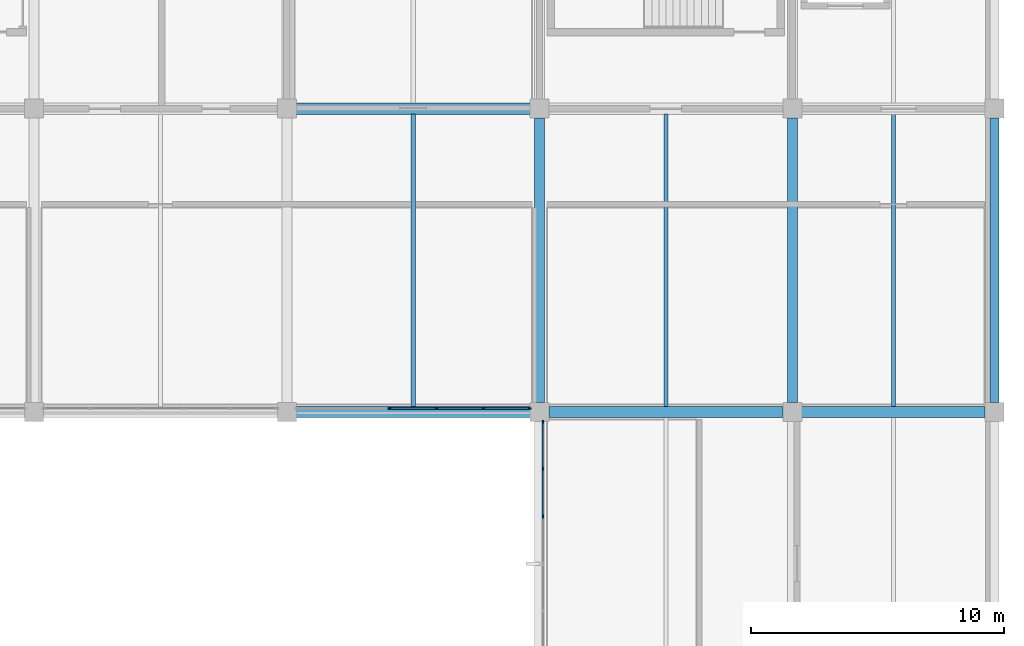
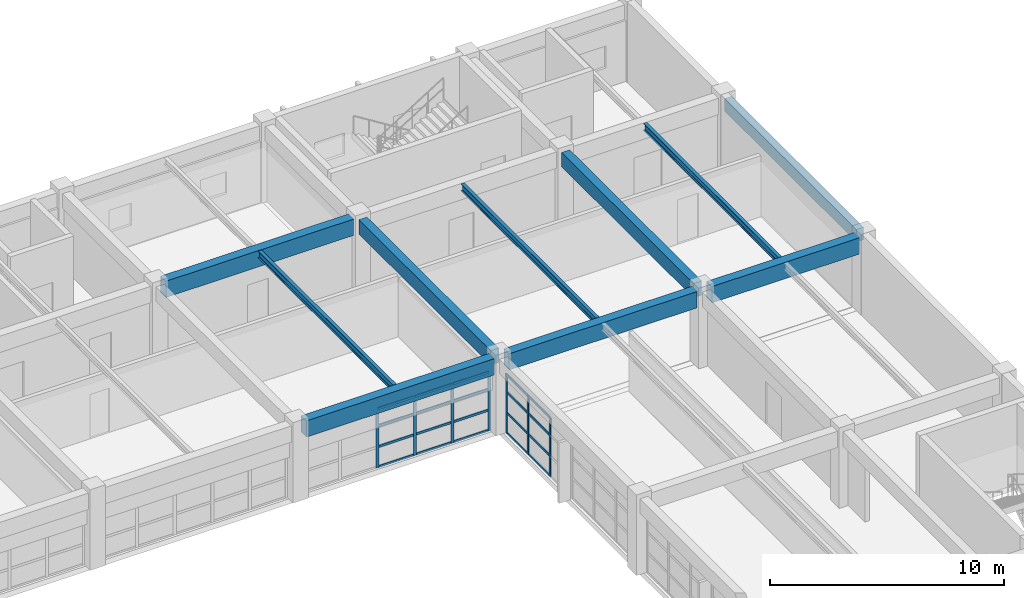
# One storey, part 41 of 83: 27 members, 10 beams, 2 elements without a shape of their own.
"""IFC4 building model written with IfcOpenShell, lengths in metres."""

from ifc_helpers import new_model, si_unit, direction, frame, origin, origin_2d, place, context, subcontext, project, spatial, rectangle, i_section, extrude, material, layer, layer_set, material_profile, profile_set, type_object, element, aggregate, save


model = new_model("IFC4")

# Units and contexts
model_context = context("Model", 3, precision=1e-05, world=origin(), true_north=direction((0.0, 1.0)))
body_context = subcontext(model_context, "Body", "Model", "MODEL_VIEW")
ifc_project = project(units=[si_unit("LENGTHUNIT", "METRE"), si_unit("AREAUNIT", "SQUARE_METRE"), si_unit("VOLUMEUNIT", "CUBIC_METRE"), si_unit("PLANEANGLEUNIT", "RADIAN"), si_unit("MASSUNIT", "GRAM", prefix="KILO")], contexts=[model_context])

# Site, building, storey
site_placement = place(None, origin())
site = spatial("IfcSite", under=ifc_project, at=site_placement, CompositionType="ELEMENT")
building_placement = place(site_placement, origin())
building = spatial("IfcBuilding", under=site, at=building_placement, Name="Kivolera Central Railway Station", CompositionType="ELEMENT")
storey_placement = place(building_placement, frame((0.0, 0.0, 14.39990234375)))
storey = spatial("IfcBuildingStorey", under=building, at=storey_placement, Name="L03", CompositionType="ELEMENT", Elevation=14.39990234375)

# Beams
ifc_material_1 = material(Name="Steel S355", Category="steel")
ifc_material_profile_1 = material_profile(ifc_material_1, i_section(OverallWidth=0.169921875, OverallDepth=0.360107421875, WebThickness=0.008056640625, FlangeThickness=0.0126953125, FilletRadius=0.01806640625, at=origin_2d()), Name="IPE 360")
ifc_profile_set_1 = profile_set([ifc_material_profile_1], Name="Steel S355")
beam_type_1 = type_object("IfcBeamType", Name="BM-JST-IPE360", PredefinedType="JOIST", material=ifc_profile_set_1)
for number, where, z_axis, x_axis, name in (
    (1, (173.0, 114.217041015625, 3.748046875), (0.0, 1.0, 0.0), (-1.0, 0.0, 0.0), "L03 Floor Joist 17-18/K-L"),
    (2, (183.0, 114.217041015625, 3.748046875), (0.0, 1.0, 0.0), (-1.0, 0.0, 0.0), "L03 Floor Joist 18-19/K-L"),
    (3, (192.0, 114.217041015625, 3.748046875), (0.0, 1.0, 0.0), (-1.0, 0.0, 0.0), "L03 Floor Joist 19-20/K-L"),
):
    element("IfcBeam", number, at=place(storey_placement, frame(where, z_axis=z_axis, x_axis=x_axis)), inside=storey, type_object=beam_type_1, Name=name, PredefinedType="JOIST", context=body_context, shape_type="SweptSolid", body=[
        extrude(i_section(OverallWidth=0.169921875, OverallDepth=0.360107421875, WebThickness=0.008056640625, FlangeThickness=0.0126953125, FilletRadius=0.01806640625, at=origin_2d()), origin(), (0.0, 0.0, 1.0), 11.56591796875),
    ])
ifc_material_2 = material(Name="Concrete C40/50", Category="concrete")
ifc_material_profile_2 = material_profile(ifc_material_2, rectangle(XDim=0.39990234375, YDim=0.75, at=origin_2d()), Name="RC 400x750")
ifc_profile_set_2 = profile_set([ifc_material_profile_2], Name="Concrete C40/50")
beam_type_2 = type_object("IfcBeamType", Name="BM-RC-400x750", PredefinedType="BEAM", material=ifc_profile_set_2)
for number, where, z_axis, x_axis, name in (
    (4, (178.0, 114.366943359375, 3.565185546875), (0.0, 1.0, 0.0), (-1.0, 0.0, 0.0), "L03 Wing Y-Beam 18:K-L"),
    (5, (188.0, 114.366943359375, 3.565185546875), (0.0, 1.0, 0.0), (-1.0, 0.0, 0.0), "L03 Wing Y-Beam 19:K-L"),
):
    element("IfcBeam", number, at=place(storey_placement, frame(where, z_axis=z_axis, x_axis=x_axis)), inside=storey, type_object=beam_type_2, Name=name, PredefinedType="BEAM", context=body_context, shape_type="SweptSolid", body=[
        extrude(rectangle(XDim=0.39990234375, YDim=0.75, at=origin_2d()), origin(), (0.0, 0.0, 1.0), 11.26611328125),
    ])
ifc_material_profile_3 = material_profile(ifc_material_2, rectangle(XDim=0.449951171875, YDim=0.85009765625, at=origin_2d()), Name="RC 450x850")
ifc_profile_set_3 = profile_set([ifc_material_profile_3], Name="Concrete C40/50")
beam_type_3 = type_object("IfcBeamType", Name="BM-RC-450x850", PredefinedType="BEAM", material=ifc_profile_set_3)
for number, where, z_axis, x_axis, name in (
    (6, (168.366943359375, 114.0, 3.51513671875), (1.0, 0.0, 0.0), (0.0, 1.0, 0.0), "L03 Wing X-Beam K:17-18"),
    (7, (178.366943359375, 114.0, 3.51513671875), (1.0, 0.0, 0.0), (0.0, 1.0, 0.0), "L03 Wing X-Beam K:18-19"),
):
    element("IfcBeam", number, at=place(storey_placement, frame(where, z_axis=z_axis, x_axis=x_axis)), inside=storey, type_object=beam_type_3, Name=name, PredefinedType="BEAM", context=body_context, shape_type="SweptSolid", body=[
        extrude(rectangle(XDim=0.449951171875, YDim=0.85009765625, at=origin_2d()), origin(), (0.0, 0.0, 1.0), 9.26611328125),
    ])
beam_1_placement = place(storey_placement, frame((188.366943359375, 114.0, 3.51513671875), z_axis=(1.0, 0.0, 0.0), x_axis=(0.0, 1.0, 0.0)))
element("IfcBeam", 8, at=beam_1_placement, inside=storey, type_object=beam_type_3, Name="L03 Wing X-Beam K:19-20", PredefinedType="BEAM", context=body_context, shape_type="SweptSolid", body=[
    extrude(rectangle(XDim=0.449951171875, YDim=0.85009765625, at=origin_2d()), origin(), (0.0, 0.0, 1.0), 7.26611328125),
])
beam_2_placement = place(storey_placement, frame((168.366943359375, 126.0, 3.51513671875), z_axis=(1.0, 0.0, 0.0), x_axis=(0.0, 1.0, 0.0)))
element("IfcBeam", 9, at=beam_2_placement, inside=storey, type_object=beam_type_3, Name="L03 Wing X-Beam L:17-18", PredefinedType="BEAM", context=body_context, shape_type="SweptSolid", body=[
    extrude(rectangle(XDim=0.449951171875, YDim=0.85009765625, at=origin_2d()), origin(), (0.0, 0.0, 1.0), 9.26611328125),
])
ifc_material_profile_4 = material_profile(ifc_material_2, rectangle(XDim=0.35009765625, YDim=0.64990234375, at=origin_2d()), Name="RC 350x650")
ifc_profile_set_4 = profile_set([ifc_material_profile_4], Name="Concrete C40/50")
beam_type_4 = type_object("IfcBeamType", Name="BM-SPN-RC650", PredefinedType="SPANDREL", material=ifc_profile_set_4)
beam_3_placement = place(storey_placement, frame((196.0, 114.366943359375, 3.614990234375), z_axis=(0.0, 1.0, 0.0), x_axis=(-1.0, 0.0, 0.0)))
element("IfcBeam", 10, at=beam_3_placement, inside=storey, type_object=beam_type_4, Name="L03 Wing Y-Beam 20:K-L", PredefinedType="SPANDREL", context=body_context, shape_type="SweptSolid", body=[
    extrude(rectangle(XDim=0.35009765625, YDim=0.64990234375, at=origin_2d()), origin(), (0.0, 0.0, 1.0), 11.26611328125),
])

# Curtain wall, members
ifc_material_3 = material(Name="Anodised aluminium", Category="aluminium")
ifc_layer_1 = layer(ifc_material_3, 0.179931640625, Name="Anodised aluminium")
ifc_layer_set_1 = layer_set([ifc_layer_1], Name="Anodised aluminium")
curtain_wall_type_1 = type_object("IfcCurtainWallType", Name="CW-SYS-29", PredefinedType="NOTDEFINED", material=ifc_layer_set_1)
curtain_wall_1_placement = place(storey_placement, origin())
curtain_wall_1 = element("IfcCurtainWall", 11, at=curtain_wall_1_placement, inside=storey, type_object=curtain_wall_type_1, Name="L03 Curtain Wall CW-L03-CRTN-168", PredefinedType="NOTDEFINED")
ifc_material_profile_5 = material_profile(ifc_material_3, rectangle(XDim=0.06005859375, YDim=0.14990234375, at=origin_2d()), Name="ALU MULL 60x150")
ifc_profile_set_5 = profile_set([ifc_material_profile_5], Name="Anodised aluminium")
member_type_1 = type_object("IfcMemberType", Name="CWM-MUL-2", PredefinedType="MULLION", material=ifc_profile_set_5)
member_1_placement = place(storey_placement, frame((177.60009765625, 114.14501953125, -0.0048828125), z_axis=(0.0, 0.0, 1.0), x_axis=(0.0, -1.0, 0.0)))
member_1 = element("IfcMember", 12, at=member_1_placement, type_object=member_type_1, Name="CW-29 mullion 1", PredefinedType="MULLION", context=body_context, shape_type="SweptSolid", body=[
    extrude(rectangle(XDim=0.06005859375, YDim=0.14990234375, at=origin_2d()), origin(), (0.0, 0.0, 1.0), 3.0830078125),
])
member_2_placement = place(storey_placement, frame((175.778076171875, 114.14501953125, -0.0048828125), z_axis=(0.0, 0.0, 1.0), x_axis=(0.0, -1.0, 0.0)))
member_2 = element("IfcMember", 13, at=member_2_placement, type_object=member_type_1, Name="CW-29 mullion 2", PredefinedType="MULLION", context=body_context, shape_type="SweptSolid", body=[
    extrude(rectangle(XDim=0.06005859375, YDim=0.14990234375, at=origin_2d()), origin(), (0.0, 0.0, 1.0), 3.0830078125),
])
member_3_placement = place(storey_placement, frame((173.926025390625, 114.14501953125, -0.0048828125), z_axis=(0.0, 0.0, 1.0), x_axis=(0.0, -1.0, 0.0)))
member_3 = element("IfcMember", 14, at=member_3_placement, type_object=member_type_1, Name="CW-29 mullion 3", PredefinedType="MULLION", context=body_context, shape_type="SweptSolid", body=[
    extrude(rectangle(XDim=0.06005859375, YDim=0.14990234375, at=origin_2d()), origin(), (0.0, 0.0, 1.0), 3.0830078125),
])
member_4_placement = place(storey_placement, frame((172.073974609375, 114.14501953125, -0.0048828125), z_axis=(0.0, 0.0, 1.0), x_axis=(0.0, -1.0, 0.0)))
member_4 = element("IfcMember", 15, at=member_4_placement, type_object=member_type_1, Name="CW-29 mullion 4", PredefinedType="MULLION", context=body_context, shape_type="SweptSolid", body=[
    extrude(rectangle(XDim=0.06005859375, YDim=0.14990234375, at=origin_2d()), origin(), (0.0, 0.0, 1.0), 3.0830078125),
])

ifc_layer_2 = layer(ifc_material_3, 0.179931640625, Name="Anodised aluminium")
ifc_layer_set_2 = layer_set([ifc_layer_2], Name="Anodised aluminium")
curtain_wall_type_2 = type_object("IfcCurtainWallType", Name="CW-SYS-30", PredefinedType="NOTDEFINED", material=ifc_layer_set_2)
curtain_wall_2_placement = place(storey_placement, origin())
curtain_wall_2 = element("IfcCurtainWall", 16, at=curtain_wall_2_placement, inside=storey, type_object=curtain_wall_type_2, Name="L03 Curtain Wall CW-L03-CRTE-J", PredefinedType="NOTDEFINED")
member_5_placement = place(storey_placement, frame((178.14501953125, 109.876708984375, -0.0048828125), z_axis=(0.0, 0.0, 1.0), x_axis=(-1.0, 0.0, 0.0)))
member_5 = element("IfcMember", 17, at=member_5_placement, type_object=member_type_1, Name="CW-30 mullion 5", PredefinedType="MULLION", context=body_context, shape_type="SweptSolid", body=[
    extrude(rectangle(XDim=0.06005859375, YDim=0.14990234375, at=origin_2d()), origin(), (0.0, 0.0, 1.0), 3.0830078125),
])
member_6_placement = place(storey_placement, frame((178.14501953125, 111.75341796875, -0.0048828125), z_axis=(0.0, 0.0, 1.0), x_axis=(-1.0, 0.0, 0.0)))
member_6 = element("IfcMember", 18, at=member_6_placement, type_object=member_type_1, Name="CW-30 mullion 6", PredefinedType="MULLION", context=body_context, shape_type="SweptSolid", body=[
    extrude(rectangle(XDim=0.06005859375, YDim=0.14990234375, at=origin_2d()), origin(), (0.0, 0.0, 1.0), 3.0830078125),
])
member_7_placement = place(storey_placement, frame((178.14501953125, 113.60009765625, -0.0048828125), z_axis=(0.0, 0.0, 1.0), x_axis=(-1.0, 0.0, 0.0)))
member_7 = element("IfcMember", 19, at=member_7_placement, type_object=member_type_1, Name="CW-30 mullion 7", PredefinedType="MULLION", context=body_context, shape_type="SweptSolid", body=[
    extrude(rectangle(XDim=0.06005859375, YDim=0.14990234375, at=origin_2d()), origin(), (0.0, 0.0, 1.0), 3.0830078125),
])

# Member
ifc_material_profile_6 = material_profile(ifc_material_3, rectangle(XDim=0.06005859375, YDim=0.1201171875, at=origin_2d()), Name="ALU TRAN 60x120")
ifc_profile_set_6 = profile_set([ifc_material_profile_6], Name="Anodised aluminium")
member_type_2 = type_object("IfcMemberType", Name="CWM-TRN-2", PredefinedType="USERDEFINED", material=ifc_profile_set_6)
member_8_placement = place(storey_placement, frame((177.570068359375, 114.14501953125, 0.030029296875), z_axis=(-1.0, 0.0, 0.0), x_axis=(0.0, -1.0, 0.0)))
member_8 = element("IfcMember", 20, at=member_8_placement, type_object=member_type_2, Name="CW-29 transom 1.1", ObjectType="TRANSOM", PredefinedType="USERDEFINED", context=body_context, shape_type="SweptSolid", body=[
    extrude(rectangle(XDim=0.06005859375, YDim=0.1201171875, at=origin_2d()), origin(), (0.0, 0.0, 1.0), 1.761962890625),
])

member_9_placement = place(storey_placement, frame((177.570068359375, 114.14501953125, 1.077392578125), z_axis=(-1.0, 0.0, 0.0), x_axis=(0.0, -1.0, 0.0)))
member_9 = element("IfcMember", 21, at=member_9_placement, type_object=member_type_2, Name="CW-29 transom 1.2", ObjectType="TRANSOM", PredefinedType="USERDEFINED", context=body_context, shape_type="SweptSolid", body=[
    extrude(rectangle(XDim=0.06005859375, YDim=0.1201171875, at=origin_2d()), origin(), (0.0, 0.0, 1.0), 1.761962890625),
])

member_10_placement = place(storey_placement, frame((177.570068359375, 114.14501953125, 2.15478515625), z_axis=(-1.0, 0.0, 0.0), x_axis=(0.0, -1.0, 0.0)))
member_10 = element("IfcMember", 22, at=member_10_placement, type_object=member_type_2, Name="CW-29 transom 1.3", ObjectType="TRANSOM", PredefinedType="USERDEFINED", context=body_context, shape_type="SweptSolid", body=[
    extrude(rectangle(XDim=0.06005859375, YDim=0.1201171875, at=origin_2d()), origin(), (0.0, 0.0, 1.0), 1.761962890625),
])

member_11_placement = place(storey_placement, frame((177.570068359375, 114.14501953125, 3.048095703125), z_axis=(-1.0, 0.0, 0.0), x_axis=(0.0, -1.0, 0.0)))
member_11 = element("IfcMember", 23, at=member_11_placement, type_object=member_type_2, Name="CW-29 transom 1.4", ObjectType="TRANSOM", PredefinedType="USERDEFINED", context=body_context, shape_type="SweptSolid", body=[
    extrude(rectangle(XDim=0.06005859375, YDim=0.1201171875, at=origin_2d()), origin(), (0.0, 0.0, 1.0), 1.761962890625),
])

member_12_placement = place(storey_placement, frame((175.748046875, 114.14501953125, 0.030029296875), z_axis=(-1.0, 0.0, 0.0), x_axis=(0.0, -1.0, 0.0)))
member_12 = element("IfcMember", 24, at=member_12_placement, type_object=member_type_2, Name="CW-29 transom 2.1", ObjectType="TRANSOM", PredefinedType="USERDEFINED", context=body_context, shape_type="SweptSolid", body=[
    extrude(rectangle(XDim=0.06005859375, YDim=0.1201171875, at=origin_2d()), origin(), (0.0, 0.0, 1.0), 1.7919921875),
])

member_13_placement = place(storey_placement, frame((175.748046875, 114.14501953125, 1.077392578125), z_axis=(-1.0, 0.0, 0.0), x_axis=(0.0, -1.0, 0.0)))
member_13 = element("IfcMember", 25, at=member_13_placement, type_object=member_type_2, Name="CW-29 transom 2.2", ObjectType="TRANSOM", PredefinedType="USERDEFINED", context=body_context, shape_type="SweptSolid", body=[
    extrude(rectangle(XDim=0.06005859375, YDim=0.1201171875, at=origin_2d()), origin(), (0.0, 0.0, 1.0), 1.7919921875),
])

member_14_placement = place(storey_placement, frame((175.748046875, 114.14501953125, 2.15478515625), z_axis=(-1.0, 0.0, 0.0), x_axis=(0.0, -1.0, 0.0)))
member_14 = element("IfcMember", 26, at=member_14_placement, type_object=member_type_2, Name="CW-29 transom 2.3", ObjectType="TRANSOM", PredefinedType="USERDEFINED", context=body_context, shape_type="SweptSolid", body=[
    extrude(rectangle(XDim=0.06005859375, YDim=0.1201171875, at=origin_2d()), origin(), (0.0, 0.0, 1.0), 1.7919921875),
])

member_15_placement = place(storey_placement, frame((175.748046875, 114.14501953125, 3.048095703125), z_axis=(-1.0, 0.0, 0.0), x_axis=(0.0, -1.0, 0.0)))
member_15 = element("IfcMember", 27, at=member_15_placement, type_object=member_type_2, Name="CW-29 transom 2.4", ObjectType="TRANSOM", PredefinedType="USERDEFINED", context=body_context, shape_type="SweptSolid", body=[
    extrude(rectangle(XDim=0.06005859375, YDim=0.1201171875, at=origin_2d()), origin(), (0.0, 0.0, 1.0), 1.7919921875),
])

member_16_placement = place(storey_placement, frame((173.89599609375, 114.14501953125, 0.030029296875), z_axis=(-1.0, 0.0, 0.0), x_axis=(0.0, -1.0, 0.0)))
member_16 = element("IfcMember", 28, at=member_16_placement, type_object=member_type_2, Name="CW-29 transom 3.1", ObjectType="TRANSOM", PredefinedType="USERDEFINED", context=body_context, shape_type="SweptSolid", body=[
    extrude(rectangle(XDim=0.06005859375, YDim=0.1201171875, at=origin_2d()), origin(), (0.0, 0.0, 1.0), 1.7919921875),
])

member_17_placement = place(storey_placement, frame((173.89599609375, 114.14501953125, 1.077392578125), z_axis=(-1.0, 0.0, 0.0), x_axis=(0.0, -1.0, 0.0)))
member_17 = element("IfcMember", 29, at=member_17_placement, type_object=member_type_2, Name="CW-29 transom 3.2", ObjectType="TRANSOM", PredefinedType="USERDEFINED", context=body_context, shape_type="SweptSolid", body=[
    extrude(rectangle(XDim=0.06005859375, YDim=0.1201171875, at=origin_2d()), origin(), (0.0, 0.0, 1.0), 1.7919921875),
])

member_18_placement = place(storey_placement, frame((173.89599609375, 114.14501953125, 2.15478515625), z_axis=(-1.0, 0.0, 0.0), x_axis=(0.0, -1.0, 0.0)))
member_18 = element("IfcMember", 30, at=member_18_placement, type_object=member_type_2, Name="CW-29 transom 3.3", ObjectType="TRANSOM", PredefinedType="USERDEFINED", context=body_context, shape_type="SweptSolid", body=[
    extrude(rectangle(XDim=0.06005859375, YDim=0.1201171875, at=origin_2d()), origin(), (0.0, 0.0, 1.0), 1.7919921875),
])

member_19_placement = place(storey_placement, frame((173.89599609375, 114.14501953125, 3.048095703125), z_axis=(-1.0, 0.0, 0.0), x_axis=(0.0, -1.0, 0.0)))
member_19 = element("IfcMember", 31, at=member_19_placement, type_object=member_type_2, Name="CW-29 transom 3.4", ObjectType="TRANSOM", PredefinedType="USERDEFINED", context=body_context, shape_type="SweptSolid", body=[
    extrude(rectangle(XDim=0.06005859375, YDim=0.1201171875, at=origin_2d()), origin(), (0.0, 0.0, 1.0), 1.7919921875),
])

aggregate(curtain_wall_1, [member_1, member_2, member_3, member_4, member_8, member_9, member_10, member_11, member_12, member_13, member_14, member_15, member_16, member_17, member_18, member_19])

member_20_placement = place(storey_placement, frame((178.14501953125, 109.90673828125, 0.030029296875), z_axis=(0.0, 1.0, 0.0), x_axis=(-1.0, 0.0, 0.0)))
member_20 = element("IfcMember", 32, at=member_20_placement, type_object=member_type_2, Name="CW-30 transom 5.1", ObjectType="TRANSOM", PredefinedType="USERDEFINED", context=body_context, shape_type="SweptSolid", body=[
    extrude(rectangle(XDim=0.06005859375, YDim=0.1201171875, at=origin_2d()), origin(), (0.0, 0.0, 1.0), 1.816650390625),
])

member_21_placement = place(storey_placement, frame((178.14501953125, 109.90673828125, 1.077392578125), z_axis=(0.0, 1.0, 0.0), x_axis=(-1.0, 0.0, 0.0)))
member_21 = element("IfcMember", 33, at=member_21_placement, type_object=member_type_2, Name="CW-30 transom 5.2", ObjectType="TRANSOM", PredefinedType="USERDEFINED", context=body_context, shape_type="SweptSolid", body=[
    extrude(rectangle(XDim=0.06005859375, YDim=0.1201171875, at=origin_2d()), origin(), (0.0, 0.0, 1.0), 1.816650390625),
])

member_22_placement = place(storey_placement, frame((178.14501953125, 109.90673828125, 2.15478515625), z_axis=(0.0, 1.0, 0.0), x_axis=(-1.0, 0.0, 0.0)))
member_22 = element("IfcMember", 34, at=member_22_placement, type_object=member_type_2, Name="CW-30 transom 5.3", ObjectType="TRANSOM", PredefinedType="USERDEFINED", context=body_context, shape_type="SweptSolid", body=[
    extrude(rectangle(XDim=0.06005859375, YDim=0.1201171875, at=origin_2d()), origin(), (0.0, 0.0, 1.0), 1.816650390625),
])

member_23_placement = place(storey_placement, frame((178.14501953125, 109.90673828125, 3.048095703125), z_axis=(0.0, 1.0, 0.0), x_axis=(-1.0, 0.0, 0.0)))
member_23 = element("IfcMember", 35, at=member_23_placement, type_object=member_type_2, Name="CW-30 transom 5.4", ObjectType="TRANSOM", PredefinedType="USERDEFINED", context=body_context, shape_type="SweptSolid", body=[
    extrude(rectangle(XDim=0.06005859375, YDim=0.1201171875, at=origin_2d()), origin(), (0.0, 0.0, 1.0), 1.816650390625),
])

member_24_placement = place(storey_placement, frame((178.14501953125, 111.783447265625, 0.030029296875), z_axis=(0.0, 1.0, 0.0), x_axis=(-1.0, 0.0, 0.0)))
member_24 = element("IfcMember", 36, at=member_24_placement, type_object=member_type_2, Name="CW-30 transom 6.1", ObjectType="TRANSOM", PredefinedType="USERDEFINED", context=body_context, shape_type="SweptSolid", body=[
    extrude(rectangle(XDim=0.06005859375, YDim=0.1201171875, at=origin_2d()), origin(), (0.0, 0.0, 1.0), 1.78662109375),
])

member_25_placement = place(storey_placement, frame((178.14501953125, 111.783447265625, 1.077392578125), z_axis=(0.0, 1.0, 0.0), x_axis=(-1.0, 0.0, 0.0)))
member_25 = element("IfcMember", 37, at=member_25_placement, type_object=member_type_2, Name="CW-30 transom 6.2", ObjectType="TRANSOM", PredefinedType="USERDEFINED", context=body_context, shape_type="SweptSolid", body=[
    extrude(rectangle(XDim=0.06005859375, YDim=0.1201171875, at=origin_2d()), origin(), (0.0, 0.0, 1.0), 1.78662109375),
])

member_26_placement = place(storey_placement, frame((178.14501953125, 111.783447265625, 2.15478515625), z_axis=(0.0, 1.0, 0.0), x_axis=(-1.0, 0.0, 0.0)))
member_26 = element("IfcMember", 38, at=member_26_placement, type_object=member_type_2, Name="CW-30 transom 6.3", ObjectType="TRANSOM", PredefinedType="USERDEFINED", context=body_context, shape_type="SweptSolid", body=[
    extrude(rectangle(XDim=0.06005859375, YDim=0.1201171875, at=origin_2d()), origin(), (0.0, 0.0, 1.0), 1.78662109375),
])

member_27_placement = place(storey_placement, frame((178.14501953125, 111.783447265625, 3.048095703125), z_axis=(0.0, 1.0, 0.0), x_axis=(-1.0, 0.0, 0.0)))
member_27 = element("IfcMember", 39, at=member_27_placement, type_object=member_type_2, Name="CW-30 transom 6.4", ObjectType="TRANSOM", PredefinedType="USERDEFINED", context=body_context, shape_type="SweptSolid", body=[
    extrude(rectangle(XDim=0.06005859375, YDim=0.1201171875, at=origin_2d()), origin(), (0.0, 0.0, 1.0), 1.78662109375),
])

aggregate(curtain_wall_2, [member_5, member_6, member_7, member_20, member_21, member_22, member_23, member_24, member_25, member_26, member_27])

save(model, "model.ifc")
